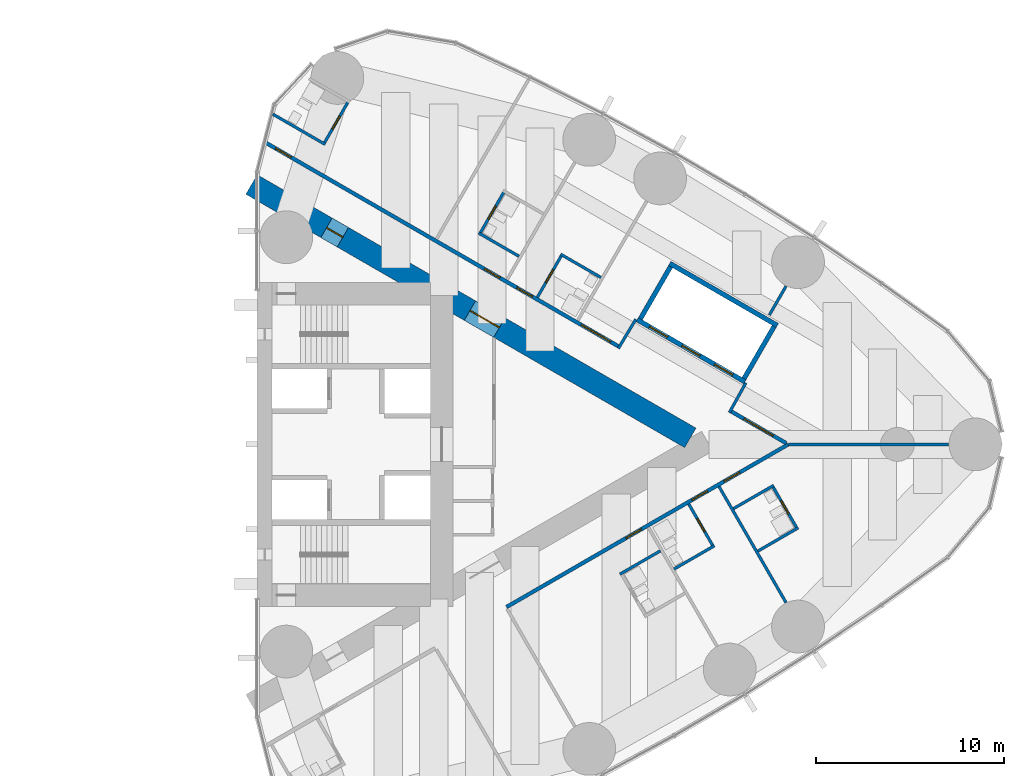
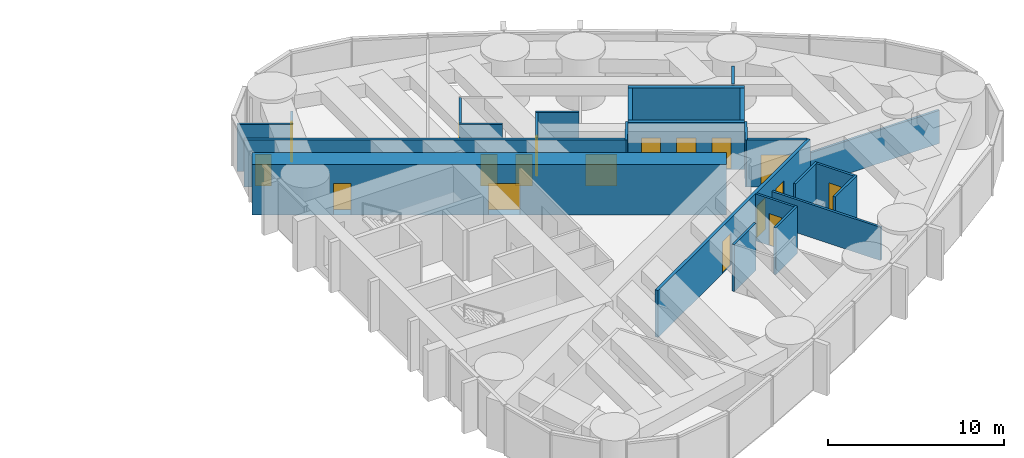
# One storey, part 15 of 18: 25 walls, 18 doors, 18 openings.
"""IFC4 building model written with IfcOpenShell, lengths in metres."""

import ifcopenshell
import ifcopenshell.guid

model = None  # the IFC model being written
_history = None  # IfcOwnerHistory: only IFC2X3 demands one
_inside = {}  # id of a spatial element -> (the spatial element, [elements in it])
_under = {}  # id of a project, library or spatial element -> (it, [spatial elements below it])
_declared = {}  # id of a project -> (the project, [libraries it declares])
_typed = {}  # id of a type object -> (the type object, [elements of that type])
_made_of = {}  # id of a material, layer set ... -> (it, [elements and type objects made of it])


def new_model(schema):
    """Start an empty IFC model of exactly this schema.

    Asked for "IFC4X3", IfcOpenShell would pick the latest addendum, in which some entities
    have other attributes; the version numbers below select the first issue.
    IFC2X3 requires an IfcOwnerHistory on every rooted entity: one is made here for all.
    """
    global model, _history
    if schema == "IFC4X3":
        model = ifcopenshell.file(schema_version=(4, 3, 0, 0))
    else:
        model = ifcopenshell.file(schema=schema)
    _inside.clear()
    _under.clear()
    _declared.clear()
    _typed.clear()
    _made_of.clear()
    _history = None
    if model.schema == "IFC2X3":
        org = make("IfcOrganization", Name="unknown")
        user = make(
            "IfcPersonAndOrganization",
            ThePerson=make("IfcPerson", FamilyName="unknown"),
            TheOrganization=org,
        )
        app = make(
            "IfcApplication",
            ApplicationDeveloper=org,
            Version="unknown",
            ApplicationFullName="unknown",
            ApplicationIdentifier="unknown",
        )
        _history = make(
            "IfcOwnerHistory",
            OwningUser=user,
            OwningApplication=app,
            ChangeAction="ADDED",
            CreationDate=0,
        )
    return model


def make(cls, **values):
    """One entity of the class cls with the attributes given. An attribute that is None is left unset."""
    return model.create_entity(
        cls, **{name: value for name, value in values.items() if value is not None}
    )


def rooted(cls, **values):
    """An entity with a GlobalId (a new one), such as an element, a storey or a relation."""
    return make(cls, GlobalId=ifcopenshell.guid.new(), OwnerHistory=_history, **values)


def si_unit(unit_type, name, prefix=None):
    """IfcSIUnit, for example si_unit("LENGTHUNIT", "METRE", prefix="MILLI")."""
    return make("IfcSIUnit", UnitType=unit_type, Prefix=prefix, Name=name)


def assignment(units):
    """IfcUnitAssignment: the units of a project."""
    return None if units is None else make("IfcUnitAssignment", Units=units)


def point(xyz):
    """IfcCartesianPoint."""
    return None if xyz is None else make("IfcCartesianPoint", Coordinates=xyz)


def direction(xyz):
    """IfcDirection."""
    return None if xyz is None else make("IfcDirection", DirectionRatios=xyz)


def frame(location, z_axis=None, x_axis=None):
    """IfcAxis2Placement3D, a coordinate frame: its origin and axes. An axis left out is left unset."""
    return make(
        "IfcAxis2Placement3D",
        Location=point(location),
        Axis=direction(z_axis),
        RefDirection=direction(x_axis),
    )


def frame_2d(location, x_axis=None):
    """IfcAxis2Placement2D, a coordinate frame in the plane: its origin and x axis."""
    return make(
        "IfcAxis2Placement2D", Location=point(location), RefDirection=direction(x_axis)
    )


def origin():
    """The frame at (0, 0, 0) with its axes left unset."""
    return frame((0.0, 0.0, 0.0))


def place(relative_to, where):
    """IfcLocalPlacement: puts the frame where relative to a parent placement (None: the world)."""
    return make(
        "IfcLocalPlacement", PlacementRelTo=relative_to, RelativePlacement=where
    )


def context(
    kind, dimensions, precision=None, world=None, true_north=None, identifier=None
):
    """IfcGeometricRepresentationContext, for example the 3D "Model" context."""
    return make(
        "IfcGeometricRepresentationContext",
        ContextIdentifier=identifier,
        ContextType=kind,
        CoordinateSpaceDimension=dimensions,
        Precision=precision,
        WorldCoordinateSystem=world,
        TrueNorth=true_north,
    )


def subcontext(parent, identifier, kind, view, scale=None):
    """IfcGeometricRepresentationSubContext, for example "Body" below "Model"."""
    return make(
        "IfcGeometricRepresentationSubContext",
        ContextIdentifier=identifier,
        ContextType=kind,
        ParentContext=parent,
        TargetScale=scale,
        TargetView=view,
    )


def project(units=None, contexts=None):
    """IfcProject with its units and contexts."""
    return rooted(
        "IfcProject",
        Name="project",
        RepresentationContexts=contexts,
        UnitsInContext=assignment(units),
    )


def spatial(cls, under=None, at=None, **own):
    """A site, building, storey or space (cls), placed at a placement, below another one or the project."""
    s = rooted(cls, ObjectPlacement=at, **own)
    if under is not None:
        _under.setdefault(under.id(), (under, []))[1].append(s)
    return s


def profile(cls, at=None, kind="AREA", **sizes):
    """A parametric profile (cls). Its sizes go by their IFC names, for example OverallWidth=200.0."""
    return make(cls, ProfileType=kind, Position=at, **sizes)


def rectangle(**sizes):
    """IfcRectangleProfileDef."""
    return profile("IfcRectangleProfileDef", **sizes)


def extrude(swept, where, along, depth):
    """IfcExtrudedAreaSolid: the profile swept, set in the frame where, extruded along a direction by depth."""
    return make(
        "IfcExtrudedAreaSolid",
        SweptArea=swept,
        Position=where,
        ExtrudedDirection=direction(along),
        Depth=depth,
    )


def shape(context_of_items, identifier, shape_type, items):
    """IfcShapeRepresentation: the items that make up one representation, for example the "Body"."""
    return make(
        "IfcShapeRepresentation",
        ContextOfItems=context_of_items,
        RepresentationIdentifier=identifier,
        RepresentationType=shape_type,
        Items=items,
    )


def material(Name=None, Category=None):
    """IfcMaterial."""
    return make("IfcMaterial", Name=Name, Category=Category)


def layer(
    of_material, thickness, ventilated=None, Name=None, Category=None, Priority=None
):
    """IfcMaterialLayer: one layer of a wall or slab, of a material (None: an air gap)."""
    return make(
        "IfcMaterialLayer",
        Material=of_material,
        LayerThickness=thickness,
        IsVentilated=ventilated,
        Name=Name,
        Category=Category,
        Priority=Priority,
    )


def layer_set(layers, Name=None):
    """IfcMaterialLayerSet."""
    return make("IfcMaterialLayerSet", MaterialLayers=layers, LayerSetName=Name)


def made_of(thing, what):
    """Note that an element or type object is made of a material, layer set ...; save() writes the relation."""
    if what is not None:
        _made_of.setdefault(what.id(), (what, []))[1].append(thing)
    return thing


def type_object(cls, material=None, **own):
    """A type object (cls), such as IfcWallType, which elements share."""
    return made_of(rooted(cls, **own), material)


def element(
    cls,
    number,
    at=None,
    inside=None,
    cuts=None,
    type_object=None,
    material=None,
    context=None,
    identifier="Body",
    shape_type=None,
    held_by="IfcProductDefinitionShape",
    body=None,
    shapes=None,
    **own,
):
    """One element of the class cls, such as IfcWall. Its Tag is "e" and its number.

    at: its placement. inside: the storey or other place that contains it. cuts: it is an
    opening in that element (IfcRelVoidsElement). A single representation is given by context,
    identifier, shape_type and body (its items); several are given by shapes. held_by: the class
    of the entity that holds the representations. save() writes the other relations.
    """
    e = rooted(cls, Tag="e%d" % number, ObjectPlacement=at, **own)
    if body is not None:
        shapes = [shape(context, identifier, shape_type, body)]
    if shapes is not None:
        e.Representation = make(held_by, Representations=shapes)
    if inside is not None:
        _inside.setdefault(inside.id(), (inside, []))[1].append(e)
    if cuts is not None:
        rooted(
            "IfcRelVoidsElement", RelatingBuildingElement=cuts, RelatedOpeningElement=e
        )
    if type_object is not None:
        _typed.setdefault(type_object.id(), (type_object, []))[1].append(e)
    return made_of(e, material)


def fill(opening, filler):
    """IfcRelFillsElement: the door or window that sits in an opening."""
    return rooted(
        "IfcRelFillsElement",
        RelatingOpeningElement=opening,
        RelatedBuildingElement=filler,
    )


def aggregate(whole, parts):
    """IfcRelAggregates: a whole, such as a stair, and the parts it consists of."""
    return rooted("IfcRelAggregates", RelatingObject=whole, RelatedObjects=parts)


def save(model, path):
    """Write the relations noted so far, then the file.

    IfcRelAggregates (storeys below a building ...), IfcRelContainedInSpatialStructure (elements
    in a storey), IfcRelDefinesByType, IfcRelAssociatesMaterial and IfcRelDeclares: one each for
    every whole, place, type object, material and project.
    """
    for whole, parts in _under.values():
        aggregate(whole, parts)
    for where, things in _inside.values():
        rooted(
            "IfcRelContainedInSpatialStructure",
            RelatedElements=things,
            RelatingStructure=where,
        )
    for kind, things in _typed.values():
        rooted("IfcRelDefinesByType", RelatedObjects=things, RelatingType=kind)
    for what, things in _made_of.values():
        rooted("IfcRelAssociatesMaterial", RelatedObjects=things, RelatingMaterial=what)
    for by, libraries in _declared.values():
        rooted("IfcRelDeclares", RelatingContext=by, RelatedDefinitions=libraries)
    model.write(path)


model = new_model("IFC4")

# Units and contexts
model_context = context("Model", 3, precision=1e-05, world=origin(), true_north=direction((0.0, 1.0)))
body_context = subcontext(model_context, "Body", "Model", "MODEL_VIEW")
ifc_project = project(units=[si_unit("LENGTHUNIT", "METRE"), si_unit("AREAUNIT", "SQUARE_METRE"), si_unit("VOLUMEUNIT", "CUBIC_METRE"), si_unit("PLANEANGLEUNIT", "RADIAN"), si_unit("MASSUNIT", "GRAM", prefix="KILO")], contexts=[model_context])

# Site, building, storey
site_placement = place(None, origin())
site = spatial("IfcSite", under=ifc_project, at=site_placement, CompositionType="ELEMENT")
building_placement = place(site_placement, origin())
building = spatial("IfcBuilding", under=site, at=building_placement, Name="Lancet Gate Hotel", CompositionType="ELEMENT")
storey_placement = place(building_placement, frame((0.0, 0.0, 166.800048828125)))
storey = spatial("IfcBuildingStorey", under=building, at=storey_placement, Name="L44", CompositionType="ELEMENT", Elevation=166.800048828125)

# Walls
ifc_material_1 = material(Name="Moisture resistant board partition")
ifc_layer_1 = layer(ifc_material_1, 0.14990234375)
ifc_layer_set_1 = layer_set([ifc_layer_1], Name="Bathroom wall 150")
wall_type_1 = type_object("IfcWallType", Name="Bathroom wall 150", PredefinedType="PARTITIONING", material=ifc_layer_set_1)
for number, where, z_axis, x_axis, name in (
    (1, (46.766357421875, -6.89111328125, 0.0), (0.0, 0.0, 1.0), (0.86604923931, 0.499958713387, 0.0), "T2 bathroom wall 150 L44"),
    (2, (49.6396484375, -6.617919921875, 0.0), (0.0, 0.0, 1.0), (0.866006523861, 0.500032699561, 0.0), "T2 bathroom wall 150 L44"),
):
    element("IfcWall", number, at=place(storey_placement, frame(where, z_axis=z_axis, x_axis=x_axis)), inside=storey, type_object=wall_type_1, Name=name, PredefinedType="PARTITIONING", context=body_context, shape_type="SweptSolid", body=[
        extrude(rectangle(XDim=2.474853515625, YDim=0.14990234375, at=frame_2d((1.2373046875, 0.0))), origin(), (0.0, 0.0, 1.0), 3.25),
    ])

# Wall, opening, door
wall_1_placement = place(storey_placement, frame((50.418212890625, -3.166259765625, 0.0), z_axis=(0.0, 0.0, 1.0), x_axis=(0.499936506574, -0.866062058628, 0.0)))
wall_1 = element("IfcWall", 3, at=wall_1_placement, inside=storey, type_object=wall_type_1, Name="T2 bathroom wall 150 L44", PredefinedType="PARTITIONING", context=body_context, shape_type="SweptSolid", body=[
    extrude(rectangle(XDim=2.599853515625, YDim=0.14990234375, at=frame_2d((1.2998046875, 0.0))), origin(), (0.0, 0.0, 1.0), 3.25),
])
opening_1_placement = place(wall_1_placement, frame((0.89990234375, 0.0, 0.0)))
opening_1 = element("IfcOpeningElement", 4, at=opening_1_placement, cuts=wall_1, Name="Opening 4456-B", PredefinedType="OPENING", context=body_context, shape_type="SweptSolid", body=[
    extrude(rectangle(XDim=0.800048828125, YDim=2.199951171875, at=frame_2d((0.39990234375, 1.10009765625))), frame((0.0, 0.0849609375, 0.0), z_axis=(0.0, -1.0, 0.0), x_axis=(1.0, 0.0, 0.0)), (0.0, 0.0, 1.0), 0.169921875),
])
ifc_material_2 = material(Name="Timber door set", Category="wood")
door_type_1 = type_object("IfcDoorType", Name="Bathroom door 800", OperationType="SINGLE_SWING_RIGHT", PredefinedType="DOOR", material=ifc_material_2)
door_1_placement = place(opening_1_placement, origin())
door_1 = element("IfcDoor", 5, at=door_1_placement, inside=storey, type_object=door_type_1, Name="4456-B", OperationType="SINGLE_SWING_RIGHT", OverallHeight=2.199951171875, OverallWidth=0.800048828125, PredefinedType="DOOR", context=body_context, shape_type="SweptSolid", body=[
    extrude(rectangle(XDim=0.800048828125, YDim=2.199951171875, at=frame_2d((0.39990234375, 1.10009765625))), frame((0.0, 0.02490234375, 0.0), z_axis=(0.0, -1.0, 0.0), x_axis=(1.0, 0.0, 0.0)), (0.0, 0.0, 1.0), 0.050048828125),
])
fill(opening_1, door_1)

# Wall
wall_2_placement = place(storey_placement, frame((54.09033203125, -5.6650390625, 0.0), z_axis=(0.0, 0.0, 1.0), x_axis=(0.866006523861, 0.500032699561, 0.0)))
element("IfcWall", 6, at=wall_2_placement, inside=storey, type_object=wall_type_1, Name="T2 bathroom wall 150 L44", PredefinedType="PARTITIONING", context=body_context, shape_type="SweptSolid", body=[
    extrude(rectangle(XDim=2.474853515625, YDim=0.14990234375, at=frame_2d((1.2373046875, 0.0))), origin(), (0.0, 0.0, 1.0), 3.25),
])

# Wall, opening, door
wall_3_placement = place(storey_placement, frame((54.86865234375, -2.21337890625, 0.0), z_axis=(0.0, 0.0, 1.0), x_axis=(0.500047596559, -0.865997922154, 0.0)))
wall_3 = element("IfcWall", 7, at=wall_3_placement, inside=storey, type_object=wall_type_1, Name="T2 bathroom wall 150 L44", PredefinedType="PARTITIONING", context=body_context, shape_type="SweptSolid", body=[
    extrude(rectangle(XDim=2.599853515625, YDim=0.14990234375, at=frame_2d((1.2998046875, 0.0))), origin(), (0.0, 0.0, 1.0), 3.25),
])
opening_2_placement = place(wall_3_placement, frame((0.89990234375, 0.0, 0.0)))
opening_2 = element("IfcOpeningElement", 8, at=opening_2_placement, cuts=wall_3, Name="Opening 4457-B", PredefinedType="OPENING", context=body_context, shape_type="SweptSolid", body=[
    extrude(rectangle(XDim=0.800048828125, YDim=2.199951171875, at=frame_2d((0.39990234375, 1.10009765625))), frame((0.0, 0.0849609375, 0.0), z_axis=(0.0, -1.0, 0.0), x_axis=(1.0, 0.0, 0.0)), (0.0, 0.0, 1.0), 0.169921875),
])
door_2_placement = place(opening_2_placement, origin())
door_2 = element("IfcDoor", 9, at=door_2_placement, inside=storey, type_object=door_type_1, Name="4457-B", OperationType="SINGLE_SWING_RIGHT", OverallHeight=2.199951171875, OverallWidth=0.800048828125, PredefinedType="DOOR", context=body_context, shape_type="SweptSolid", body=[
    extrude(rectangle(XDim=0.800048828125, YDim=2.199951171875, at=frame_2d((0.39990234375, 1.10009765625))), frame((0.0, 0.02490234375, 0.0), z_axis=(0.0, -1.0, 0.0), x_axis=(1.0, 0.0, 0.0)), (0.0, 0.0, 1.0), 0.050048828125),
])
fill(opening_2, door_2)

# Walls
wall_4_placement = place(storey_placement, frame((52.790283203125, -3.413330078125, 0.0), z_axis=(0.0, 0.0, 1.0), x_axis=(0.866006523861, 0.500032699561, 0.0)))
element("IfcWall", 10, at=wall_4_placement, inside=storey, type_object=wall_type_1, Name="T2 bathroom wall 150 L44", PredefinedType="PARTITIONING", context=body_context, shape_type="SweptSolid", body=[
    extrude(rectangle(XDim=2.474853515625, YDim=0.14990234375, at=frame_2d((1.2373046875, 0.0))), origin(), (0.0, 0.0, 1.0), 3.25),
])
wall_5_placement = place(storey_placement, frame((43.613037109375, 10.097412109375, 0.0), z_axis=(0.0, 0.0, 1.0), x_axis=(0.866031185235, -0.4999899861, 0.0)))
element("IfcWall", 11, at=wall_5_placement, inside=storey, type_object=wall_type_1, Name="T2 bathroom wall 150 L44", PredefinedType="PARTITIONING", context=body_context, shape_type="SweptSolid", body=[
    extrude(rectangle(XDim=2.47509765625, YDim=0.14990234375, at=frame_2d((1.237548828125, 0.0))), origin(), (0.0, 0.0, 1.0), 3.25),
])

# Wall, opening, door
wall_6_placement = place(storey_placement, frame((42.3779296875, 7.80810546875, 0.0), z_axis=(0.0, 0.0, 1.0), x_axis=(0.500006934395, 0.866021400173, 0.0)))
wall_6 = element("IfcWall", 12, at=wall_6_placement, inside=storey, type_object=wall_type_1, Name="T2 bathroom wall 150 L44", PredefinedType="PARTITIONING", context=body_context, shape_type="SweptSolid", body=[
    extrude(rectangle(XDim=2.60009765625, YDim=0.14990234375, at=frame_2d((1.300048828125, 0.0))), origin(), (0.0, 0.0, 1.0), 3.25),
])
opening_3_placement = place(wall_6_placement, frame((0.89990234375, 0.0, 0.0)))
opening_3 = element("IfcOpeningElement", 13, at=opening_3_placement, cuts=wall_6, Name="Opening 4461-B", PredefinedType="OPENING", context=body_context, shape_type="SweptSolid", body=[
    extrude(rectangle(XDim=0.800048828125, YDim=2.199951171875, at=frame_2d((0.39990234375, 1.10009765625))), frame((0.0, 0.0849609375, 0.0), z_axis=(0.0, -1.0, 0.0), x_axis=(1.0, 0.0, 0.0)), (0.0, 0.0, 1.0), 0.169921875),
])
door_3_placement = place(opening_3_placement, origin())
door_3 = element("IfcDoor", 14, at=door_3_placement, inside=storey, type_object=door_type_1, Name="4461-B", OperationType="SINGLE_SWING_RIGHT", OverallHeight=2.199951171875, OverallWidth=0.800048828125, PredefinedType="DOOR", context=body_context, shape_type="SweptSolid", body=[
    extrude(rectangle(XDim=0.800048828125, YDim=2.199951171875, at=frame_2d((0.39990234375, 1.10009765625))), frame((0.0, 0.02490234375, 0.0), z_axis=(0.0, -1.0, 0.0), x_axis=(1.0, 0.0, 0.0)), (0.0, 0.0, 1.0), 0.050048828125),
])
fill(opening_3, door_3)

wall_7_placement = place(storey_placement, frame((39.325927734375, 11.18701171875, 0.0), z_axis=(0.0, 0.0, 1.0), x_axis=(0.500047596559, 0.865997922154, 0.0)))
wall_7 = element("IfcWall", 15, at=wall_7_placement, inside=storey, type_object=wall_type_1, Name="T2 bathroom wall 150 L44", PredefinedType="PARTITIONING", context=body_context, shape_type="SweptSolid", body=[
    extrude(rectangle(XDim=2.599853515625, YDim=0.14990234375, at=frame_2d((1.2998046875, 0.0))), origin(), (0.0, 0.0, 1.0), 3.25),
])
opening_4_placement = place(wall_7_placement, frame((0.89990234375, 0.0, 0.0)))
opening_4 = element("IfcOpeningElement", 16, at=opening_4_placement, cuts=wall_7, Name="Opening 4462-B", PredefinedType="OPENING", context=body_context, shape_type="SweptSolid", body=[
    extrude(rectangle(XDim=0.800048828125, YDim=2.199951171875, at=frame_2d((0.39990234375, 1.10009765625))), frame((0.0, 0.0849609375, 0.0), z_axis=(0.0, -1.0, 0.0), x_axis=(1.0, 0.0, 0.0)), (0.0, 0.0, 1.0), 0.169921875),
])
door_4_placement = place(opening_4_placement, origin())
door_4 = element("IfcDoor", 17, at=door_4_placement, inside=storey, type_object=door_type_1, Name="4462-B", OperationType="SINGLE_SWING_RIGHT", OverallHeight=2.199951171875, OverallWidth=0.800048828125, PredefinedType="DOOR", context=body_context, shape_type="SweptSolid", body=[
    extrude(rectangle(XDim=0.800048828125, YDim=2.199951171875, at=frame_2d((0.39990234375, 1.10009765625))), frame((0.0, 0.02490234375, 0.0), z_axis=(0.0, -1.0, 0.0), x_axis=(1.0, 0.0, 0.0)), (0.0, 0.0, 1.0), 0.050048828125),
])
fill(opening_4, door_4)

# Wall
wall_8_placement = place(storey_placement, frame((39.260986328125, 11.224365234375, 0.0), z_axis=(0.0, 0.0, 1.0), x_axis=(0.866006523861, -0.500032699561, 0.0)))
element("IfcWall", 18, at=wall_8_placement, inside=storey, type_object=wall_type_1, Name="T2 bathroom wall 150 L44", PredefinedType="PARTITIONING", context=body_context, shape_type="SweptSolid", body=[
    extrude(rectangle(XDim=2.474853515625, YDim=0.14990234375, at=frame_2d((1.2373046875, 0.0))), origin(), (0.0, 0.0, 1.0), 3.25),
])

# Wall, opening, door
wall_9_placement = place(storey_placement, frame((31.0478515625, 15.96630859375, 0.0), z_axis=(0.0, 0.0, 1.0), x_axis=(0.499936506574, 0.866062058628, 0.0)))
wall_9 = element("IfcWall", 19, at=wall_9_placement, inside=storey, type_object=wall_type_1, Name="T2 bathroom wall 150 L44", PredefinedType="PARTITIONING", context=body_context, shape_type="SweptSolid", body=[
    extrude(rectangle(XDim=2.599853515625, YDim=0.14990234375, at=frame_2d((1.2998046875, 0.0))), origin(), (0.0, 0.0, 1.0), 2.300048828125),
])
opening_5_placement = place(wall_9_placement, frame((0.89990234375, 0.0, 0.0)))
opening_5 = element("IfcOpeningElement", 20, at=opening_5_placement, cuts=wall_9, Name="Opening 4463-B", PredefinedType="OPENING", context=body_context, shape_type="SweptSolid", body=[
    extrude(rectangle(XDim=0.800048828125, YDim=2.199951171875, at=frame_2d((0.39990234375, 1.10009765625))), frame((0.0, 0.0849609375, 0.0), z_axis=(0.0, -1.0, 0.0), x_axis=(1.0, 0.0, 0.0)), (0.0, 0.0, 1.0), 0.169921875),
])
door_5_placement = place(opening_5_placement, origin())
door_5 = element("IfcDoor", 21, at=door_5_placement, inside=storey, type_object=door_type_1, Name="4463-B", OperationType="SINGLE_SWING_RIGHT", OverallHeight=2.199951171875, OverallWidth=0.800048828125, PredefinedType="DOOR", context=body_context, shape_type="SweptSolid", body=[
    extrude(rectangle(XDim=0.800048828125, YDim=2.199951171875, at=frame_2d((0.39990234375, 1.10009765625))), frame((0.0, 0.02490234375, 0.0), z_axis=(0.0, -1.0, 0.0), x_axis=(1.0, 0.0, 0.0)), (0.0, 0.0, 1.0), 0.050048828125),
])
fill(opening_5, door_5)

# Wall
wall_10_placement = place(storey_placement, frame((28.34326171875, 17.52783203125, 0.0), z_axis=(0.0, 0.0, 1.0), x_axis=(0.86600760081, -0.500030834389, 0.0)))
element("IfcWall", 22, at=wall_10_placement, inside=storey, type_object=wall_type_1, Name="T2 bathroom wall 150 L44", PredefinedType="PARTITIONING", context=body_context, shape_type="SweptSolid", body=[
    extrude(rectangle(XDim=3.197998046875, YDim=0.14990234375, at=frame_2d((1.59912109375, 0.0))), origin(), (0.0, 0.0, 1.0), 3.25),
])

# Wall, openings, doors
ifc_material_3 = material(Name="Concrete C70/85", Category="concrete")
ifc_layer_2 = layer(ifc_material_3, 1.199951171875)
ifc_layer_set_2 = layer_set([ifc_layer_2], Name="Buttress wall 1200")
wall_type_2 = type_object("IfcWallType", Name="Buttress wall 1200", PredefinedType="SHEAR", material=ifc_layer_set_2)
wall_11_placement = place(storey_placement, frame((27.199951171875, 13.800048828125, 0.0), z_axis=(0.0, 0.0, 1.0), x_axis=(0.866024515034, -0.500001539357, 0.0)))
wall_11 = element("IfcWall", 23, at=wall_11_placement, inside=storey, type_object=wall_type_2, Name="T2 buttress wall N L44", PredefinedType="SHEAR", context=body_context, shape_type="SweptSolid", body=[
    extrude(rectangle(XDim=26.9072265625, YDim=1.199951171875, at=frame_2d((13.45361328125, 0.0))), origin(), (0.0, 0.0, 1.0), 3.5),
])
opening_6_placement = place(wall_11_placement, frame((4.60009765625, 0.0, 0.0)))
opening_6 = element("IfcOpeningElement", 24, at=opening_6_placement, cuts=wall_11, Name="Opening T2-L44-LN", PredefinedType="OPENING", context=body_context, shape_type="SweptSolid", body=[
    extrude(rectangle(XDim=1.0, YDim=2.199951171875, at=frame_2d((0.5, 1.10009765625))), frame((0.0, 0.60986328125, 0.0), z_axis=(0.0, -1.0, 0.0), x_axis=(1.0, 0.0, 0.0)), (0.0, 0.0, 1.0), 1.219970703125),
])
opening_7_placement = place(wall_11_placement, frame((13.39453125, 0.0, 0.0)))
opening_7 = element("IfcOpeningElement", 25, at=opening_7_placement, cuts=wall_11, Name="Opening T2-L44-LHN", PredefinedType="OPENING", context=body_context, shape_type="SweptSolid", body=[
    extrude(rectangle(XDim=1.800048828125, YDim=2.199951171875, at=frame_2d((0.89990234375, 1.10009765625))), frame((0.0, 0.60986328125, 0.0), z_axis=(0.0, -1.0, 0.0), x_axis=(1.0, 0.0, 0.0)), (0.0, 0.0, 1.0), 1.219970703125),
])
ifc_material_4 = material(Name="Timber door set", Category="wood")
door_type_2 = type_object("IfcDoorType", Name="Lobby double door 1800", OperationType="DOUBLE_DOOR_SINGLE_SWING", PredefinedType="DOOR", material=ifc_material_4)
door_6_placement = place(opening_7_placement, origin())
door_6 = element("IfcDoor", 26, at=door_6_placement, inside=storey, type_object=door_type_2, Name="T2-L44-LHN", OperationType="DOUBLE_DOOR_SINGLE_SWING", OverallHeight=2.199951171875, OverallWidth=1.800048828125, PredefinedType="DOOR", context=body_context, shape_type="SweptSolid", body=[
    extrude(rectangle(XDim=1.800048828125, YDim=2.199951171875, at=frame_2d((0.89990234375, 1.10009765625))), frame((0.0, 0.02490234375, 0.0), z_axis=(0.0, -1.0, 0.0), x_axis=(1.0, 0.0, 0.0)), (0.0, 0.0, 1.0), 0.050048828125),
])
fill(opening_7, door_6)
ifc_material_5 = material(Name="Timber door set", Category="wood")
door_type_3 = type_object("IfcDoorType", Name="Stair lobby door 1000", OperationType="SINGLE_SWING_LEFT", PredefinedType="DOOR", material=ifc_material_5)
door_7_placement = place(opening_6_placement, origin())
door_7 = element("IfcDoor", 27, at=door_7_placement, inside=storey, type_object=door_type_3, Name="T2-L44-LN", OperationType="SINGLE_SWING_LEFT", OverallHeight=2.199951171875, OverallWidth=1.0, PredefinedType="DOOR", context=body_context, shape_type="SweptSolid", body=[
    extrude(rectangle(XDim=1.0, YDim=2.199951171875, at=frame_2d((0.5, 1.10009765625))), frame((0.0, 0.02490234375, 0.0), z_axis=(0.0, -1.0, 0.0), x_axis=(1.0, 0.0, 0.0)), (0.0, 0.0, 1.0), 0.050048828125),
])
fill(opening_6, door_7)

ifc_material_6 = material(Name="Gypsum board partition")
ifc_layer_3 = layer(ifc_material_6, 0.199951171875)
ifc_layer_set_3 = layer_set([ifc_layer_3], Name="Corridor wall 200")
wall_type_3 = type_object("IfcWallType", Name="Corridor wall 200", PredefinedType="PARTITIONING", material=ifc_layer_set_3)
wall_12_placement = place(storey_placement, frame((27.95947265625, 16.017333984375, 0.0), z_axis=(0.0, 0.0, 1.0), x_axis=(0.866027146794, -0.499996981007, 0.0)))
wall_12 = element("IfcWall", 28, at=wall_12_placement, inside=storey, type_object=wall_type_3, Name="T2 corridor wall 200 L44", PredefinedType="PARTITIONING", context=body_context, shape_type="SweptSolid", body=[
    extrude(rectangle(XDim=21.657470703125, YDim=0.199951171875, at=frame_2d((10.82861328125, 0.0))), origin(), (0.0, 0.0, 1.0), 3.25),
])
opening_8_placement = place(wall_12_placement, frame((15.391357421875, 0.0, 0.0)))
opening_8 = element("IfcOpeningElement", 29, at=opening_8_placement, cuts=wall_12, Name="Opening 4461-E", PredefinedType="OPENING", context=body_context, shape_type="SweptSolid", body=[
    extrude(rectangle(XDim=0.949951171875, YDim=2.199951171875, at=frame_2d((0.47509765625, 1.10009765625))), frame((0.0, 0.10986328125, 0.0), z_axis=(0.0, -1.0, 0.0), x_axis=(1.0, 0.0, 0.0)), (0.0, 0.0, 1.0), 0.219970703125),
])
opening_9_placement = place(wall_12_placement, frame((13.40869140625, 0.0, 0.0)))
opening_9 = element("IfcOpeningElement", 30, at=opening_9_placement, cuts=wall_12, Name="Opening 4462-E", PredefinedType="OPENING", context=body_context, shape_type="SweptSolid", body=[
    extrude(rectangle(XDim=0.949951171875, YDim=2.199951171875, at=frame_2d((0.47509765625, 1.10009765625))), frame((0.0, 0.10986328125, 0.0), z_axis=(0.0, -1.0, 0.0), x_axis=(1.0, 0.0, 0.0)), (0.0, 0.0, 1.0), 0.219970703125),
])
opening_10_placement = place(wall_12_placement, frame((0.60009765625, 0.0, 0.0)))
opening_10 = element("IfcOpeningElement", 31, at=opening_10_placement, cuts=wall_12, Name="Opening 4463-E", PredefinedType="OPENING", context=body_context, shape_type="SweptSolid", body=[
    extrude(rectangle(XDim=0.949951171875, YDim=2.199951171875, at=frame_2d((0.47509765625, 1.10009765625))), frame((0.0, 0.10986328125, 0.0), z_axis=(0.0, -1.0, 0.0), x_axis=(1.0, 0.0, 0.0)), (0.0, 0.0, 1.0), 0.219970703125),
])
opening_11_placement = place(wall_12_placement, frame((19.349365234375, 0.0, 0.0)))
opening_11 = element("IfcOpeningElement", 32, at=opening_11_placement, cuts=wall_12, Name="Opening T2-L44-LO2", PredefinedType="OPENING", context=body_context, shape_type="SweptSolid", body=[
    extrude(rectangle(XDim=1.800048828125, YDim=2.199951171875, at=frame_2d((0.89990234375, 1.10009765625))), frame((0.0, 0.10986328125, 0.0), z_axis=(0.0, -1.0, 0.0), x_axis=(1.0, 0.0, 0.0)), (0.0, 0.0, 1.0), 0.219970703125),
])
ifc_material_7 = material(Name="Timber door set", Category="wood")
door_type_4 = type_object("IfcDoorType", Name="Double door 1800", OperationType="DOUBLE_DOOR_SINGLE_SWING", PredefinedType="DOOR", material=ifc_material_7)
door_8_placement = place(opening_11_placement, origin())
door_8 = element("IfcDoor", 33, at=door_8_placement, inside=storey, type_object=door_type_4, Name="T2-L44-LO2", OperationType="DOUBLE_DOOR_SINGLE_SWING", OverallHeight=2.199951171875, OverallWidth=1.800048828125, PredefinedType="DOOR", context=body_context, shape_type="SweptSolid", body=[
    extrude(rectangle(XDim=1.800048828125, YDim=2.199951171875, at=frame_2d((0.89990234375, 1.10009765625))), frame((0.0, 0.02490234375, 0.0), z_axis=(0.0, -1.0, 0.0), x_axis=(1.0, 0.0, 0.0)), (0.0, 0.0, 1.0), 0.050048828125),
])
fill(opening_11, door_8)
ifc_material_8 = material(Name="Timber door set", Category="wood")
door_type_5 = type_object("IfcDoorType", Name="Guest room entry door 950", OperationType="SINGLE_SWING_LEFT", PredefinedType="DOOR", material=ifc_material_8)
door_9_placement = place(opening_8_placement, origin())
door_9 = element("IfcDoor", 34, at=door_9_placement, inside=storey, type_object=door_type_5, Name="4461-E", OperationType="SINGLE_SWING_LEFT", OverallHeight=2.199951171875, OverallWidth=0.949951171875, PredefinedType="DOOR", context=body_context, shape_type="SweptSolid", body=[
    extrude(rectangle(XDim=0.949951171875, YDim=2.199951171875, at=frame_2d((0.47509765625, 1.10009765625))), frame((0.0, 0.02490234375, 0.0), z_axis=(0.0, -1.0, 0.0), x_axis=(1.0, 0.0, 0.0)), (0.0, 0.0, 1.0), 0.050048828125),
])
fill(opening_8, door_9)
door_10_placement = place(opening_9_placement, origin())
door_10 = element("IfcDoor", 35, at=door_10_placement, inside=storey, type_object=door_type_5, Name="4462-E", OperationType="SINGLE_SWING_LEFT", OverallHeight=2.199951171875, OverallWidth=0.949951171875, PredefinedType="DOOR", context=body_context, shape_type="SweptSolid", body=[
    extrude(rectangle(XDim=0.949951171875, YDim=2.199951171875, at=frame_2d((0.47509765625, 1.10009765625))), frame((0.0, 0.02490234375, 0.0), z_axis=(0.0, -1.0, 0.0), x_axis=(1.0, 0.0, 0.0)), (0.0, 0.0, 1.0), 0.050048828125),
])
fill(opening_9, door_10)
door_11_placement = place(opening_10_placement, origin())
door_11 = element("IfcDoor", 36, at=door_11_placement, inside=storey, type_object=door_type_5, Name="4463-E", OperationType="SINGLE_SWING_LEFT", OverallHeight=2.199951171875, OverallWidth=0.949951171875, PredefinedType="DOOR", context=body_context, shape_type="SweptSolid", body=[
    extrude(rectangle(XDim=0.949951171875, YDim=2.199951171875, at=frame_2d((0.47509765625, 1.10009765625))), frame((0.0, 0.02490234375, 0.0), z_axis=(0.0, -1.0, 0.0), x_axis=(1.0, 0.0, 0.0)), (0.0, 0.0, 1.0), 0.050048828125),
])
fill(opening_10, door_11)

# Wall, opening, door
wall_13_placement = place(storey_placement, frame((52.63916015625, 1.7685546875, 0.0), z_axis=(0.0, 0.0, 1.0), x_axis=(0.866027340901, -0.4999966448, 0.0)))
wall_13 = element("IfcWall", 37, at=wall_13_placement, inside=storey, type_object=wall_type_3, Name="T2 corridor wall 200 L44", PredefinedType="PARTITIONING", context=body_context, shape_type="SweptSolid", body=[
    extrude(rectangle(XDim=3.4169921875, YDim=0.199951171875, at=frame_2d((1.70849609375, 0.0))), origin(), (0.0, 0.0, 1.0), 3.25),
])
opening_12_placement = place(wall_13_placement, frame((0.80859375, 0.0, 0.0)))
opening_12 = element("IfcOpeningElement", 38, at=opening_12_placement, cuts=wall_13, Name="Opening T2-L44-LO1", PredefinedType="OPENING", context=body_context, shape_type="SweptSolid", body=[
    extrude(rectangle(XDim=1.800048828125, YDim=2.199951171875, at=frame_2d((0.89990234375, 1.10009765625))), frame((0.0, 0.10986328125, 0.0), z_axis=(0.0, -1.0, 0.0), x_axis=(1.0, 0.0, 0.0)), (0.0, 0.0, 1.0), 0.219970703125),
])
door_12_placement = place(opening_12_placement, origin())
door_12 = element("IfcDoor", 39, at=door_12_placement, inside=storey, type_object=door_type_4, Name="T2-L44-LO1", OperationType="DOUBLE_DOOR_SINGLE_SWING", OverallHeight=2.199951171875, OverallWidth=1.800048828125, PredefinedType="DOOR", context=body_context, shape_type="SweptSolid", body=[
    extrude(rectangle(XDim=1.800048828125, YDim=2.199951171875, at=frame_2d((0.89990234375, 1.10009765625))), frame((0.0, 0.02490234375, 0.0), z_axis=(0.0, -1.0, 0.0), x_axis=(1.0, 0.0, 0.0)), (0.0, 0.0, 1.0), 0.050048828125),
])
fill(opening_12, door_12)

# Wall, openings, doors
wall_14_placement = place(storey_placement, frame((40.740966796875, -8.637939453125, 0.0), z_axis=(0.0, 0.0, 1.0), x_axis=(0.866022967338, 0.500004220025, 0.0)))
wall_14 = element("IfcWall", 40, at=wall_14_placement, inside=storey, type_object=wall_type_3, Name="T2 corridor wall 200 L44", PredefinedType="PARTITIONING", context=body_context, shape_type="SweptSolid", body=[
    extrude(rectangle(XDim=17.275634765625, YDim=0.199951171875, at=frame_2d((8.6376953125, 0.0))), origin(), (0.0, 0.0, 1.0), 3.25),
])
opening_13_placement = place(wall_14_placement, frame((7.31640625, 0.0, 0.0)))
opening_13 = element("IfcOpeningElement", 41, at=opening_13_placement, cuts=wall_14, Name="Opening 4454-E", PredefinedType="OPENING", context=body_context, shape_type="SweptSolid", body=[
    extrude(rectangle(XDim=0.949951171875, YDim=2.199951171875, at=frame_2d((0.47509765625, 1.10009765625))), frame((0.0, 0.10986328125, 0.0), z_axis=(0.0, -1.0, 0.0), x_axis=(1.0, 0.0, 0.0)), (0.0, 0.0, 1.0), 0.219970703125),
])
opening_14_placement = place(wall_14_placement, frame((11.366455078125, 0.0, 0.0)))
opening_14 = element("IfcOpeningElement", 42, at=opening_14_placement, cuts=wall_14, Name="Opening 4456-E", PredefinedType="OPENING", context=body_context, shape_type="SweptSolid", body=[
    extrude(rectangle(XDim=0.949951171875, YDim=2.199951171875, at=frame_2d((0.47509765625, 1.10009765625))), frame((0.0, 0.10986328125, 0.0), z_axis=(0.0, -1.0, 0.0), x_axis=(1.0, 0.0, 0.0)), (0.0, 0.0, 1.0), 0.219970703125),
])
opening_15_placement = place(wall_14_placement, frame((13.34716796875, 0.0, 0.0)))
opening_15 = element("IfcOpeningElement", 43, at=opening_15_placement, cuts=wall_14, Name="Opening 4457-E", PredefinedType="OPENING", context=body_context, shape_type="SweptSolid", body=[
    extrude(rectangle(XDim=0.949951171875, YDim=2.199951171875, at=frame_2d((0.47509765625, 1.10009765625))), frame((0.0, 0.10986328125, 0.0), z_axis=(0.0, -1.0, 0.0), x_axis=(1.0, 0.0, 0.0)), (0.0, 0.0, 1.0), 0.219970703125),
])
door_13_placement = place(opening_13_placement, origin())
door_13 = element("IfcDoor", 44, at=door_13_placement, inside=storey, type_object=door_type_5, Name="4454-E", OperationType="SINGLE_SWING_LEFT", OverallHeight=2.199951171875, OverallWidth=0.949951171875, PredefinedType="DOOR", context=body_context, shape_type="SweptSolid", body=[
    extrude(rectangle(XDim=0.949951171875, YDim=2.199951171875, at=frame_2d((0.47509765625, 1.10009765625))), frame((0.0, 0.02490234375, 0.0), z_axis=(0.0, -1.0, 0.0), x_axis=(1.0, 0.0, 0.0)), (0.0, 0.0, 1.0), 0.050048828125),
])
fill(opening_13, door_13)
door_14_placement = place(opening_14_placement, origin())
door_14 = element("IfcDoor", 45, at=door_14_placement, inside=storey, type_object=door_type_5, Name="4456-E", OperationType="SINGLE_SWING_LEFT", OverallHeight=2.199951171875, OverallWidth=0.949951171875, PredefinedType="DOOR", context=body_context, shape_type="SweptSolid", body=[
    extrude(rectangle(XDim=0.949951171875, YDim=2.199951171875, at=frame_2d((0.47509765625, 1.10009765625))), frame((0.0, 0.02490234375, 0.0), z_axis=(0.0, -1.0, 0.0), x_axis=(1.0, 0.0, 0.0)), (0.0, 0.0, 1.0), 0.050048828125),
])
fill(opening_14, door_14)
door_15_placement = place(opening_15_placement, origin())
door_15 = element("IfcDoor", 46, at=door_15_placement, inside=storey, type_object=door_type_5, Name="4457-E", OperationType="SINGLE_SWING_LEFT", OverallHeight=2.199951171875, OverallWidth=0.949951171875, PredefinedType="DOOR", context=body_context, shape_type="SweptSolid", body=[
    extrude(rectangle(XDim=0.949951171875, YDim=2.199951171875, at=frame_2d((0.47509765625, 1.10009765625))), frame((0.0, 0.02490234375, 0.0), z_axis=(0.0, -1.0, 0.0), x_axis=(1.0, 0.0, 0.0)), (0.0, 0.0, 1.0), 0.050048828125),
])
fill(opening_15, door_15)

ifc_material_9 = material(Name="Gypsum board partition")
ifc_layer_4 = layer(ifc_material_9, 0.25)
ifc_layer_set_4 = layer_set([ifc_layer_4], Name="Lift shaft partition 250")
wall_type_4 = type_object("IfcWallType", Name="Lift shaft partition 250", PredefinedType="PARTITIONING", material=ifc_layer_set_4)
wall_15_placement = place(storey_placement, frame((47.681396484375, 6.622314453125, 0.0), z_axis=(0.0, 0.0, 1.0), x_axis=(0.86603344179, -0.499986077507, 0.0)))
wall_15 = element("IfcWall", 47, at=wall_15_placement, inside=storey, type_object=wall_type_4, Name="T2 lift shaft wall HL L44", PredefinedType="PARTITIONING", context=body_context, shape_type="SweptSolid", body=[
    extrude(rectangle(XDim=6.600341796875, YDim=0.25, at=frame_2d((3.30029296875, 0.0))), origin(), (0.0, 0.0, 1.0), 3.25),
])
opening_16_placement = place(wall_15_placement, frame((0.75, 0.0, 0.0)))
opening_16 = element("IfcOpeningElement", 48, at=opening_16_placement, cuts=wall_15, Name="Opening T2-HL1-L44", PredefinedType="OPENING", context=body_context, shape_type="SweptSolid", body=[
    extrude(rectangle(XDim=1.10009765625, YDim=2.199951171875, at=frame_2d((0.550048828125, 1.10009765625))), frame((0.0, 0.135009765625, 0.0), z_axis=(0.0, -1.0, 0.0), x_axis=(1.0, 0.0, 0.0)), (0.0, 0.0, 1.0), 0.27001953125),
])
opening_17_placement = place(wall_15_placement, frame((2.75, 0.0, 0.0)))
opening_17 = element("IfcOpeningElement", 49, at=opening_17_placement, cuts=wall_15, Name="Opening T2-HL2-L44", PredefinedType="OPENING", context=body_context, shape_type="SweptSolid", body=[
    extrude(rectangle(XDim=1.10009765625, YDim=2.199951171875, at=frame_2d((0.550048828125, 1.10009765625))), frame((0.0, 0.135009765625, 0.0), z_axis=(0.0, -1.0, 0.0), x_axis=(1.0, 0.0, 0.0)), (0.0, 0.0, 1.0), 0.27001953125),
])
opening_18_placement = place(wall_15_placement, frame((4.75, 0.0, 0.0)))
opening_18 = element("IfcOpeningElement", 50, at=opening_18_placement, cuts=wall_15, Name="Opening T2-HL3-L44", PredefinedType="OPENING", context=body_context, shape_type="SweptSolid", body=[
    extrude(rectangle(XDim=1.10009765625, YDim=2.199951171875, at=frame_2d((0.550048828125, 1.10009765625))), frame((0.0, 0.135009765625, 0.0), z_axis=(0.0, -1.0, 0.0), x_axis=(1.0, 0.0, 0.0)), (0.0, 0.0, 1.0), 0.27001953125),
])
ifc_material_10 = material(Name="Steel door set", Category="steel")
door_type_6 = type_object("IfcDoorType", Name="Lift landing door 1100", OperationType="DOUBLE_DOOR_SLIDING", PredefinedType="USERDEFINED", material=ifc_material_10)
door_16_placement = place(opening_16_placement, origin())
door_16 = element("IfcDoor", 51, at=door_16_placement, inside=storey, type_object=door_type_6, Name="T2-HL1-L44", ObjectType="LIFT LANDING DOOR", OperationType="DOUBLE_DOOR_SLIDING", OverallHeight=2.199951171875, OverallWidth=1.10009765625, PredefinedType="USERDEFINED", context=body_context, shape_type="SweptSolid", body=[
    extrude(rectangle(XDim=1.10009765625, YDim=2.199951171875, at=frame_2d((0.550048828125, 1.10009765625))), frame((0.0, 0.02490234375, 0.0), z_axis=(0.0, -1.0, 0.0), x_axis=(1.0, 0.0, 0.0)), (0.0, 0.0, 1.0), 0.050048828125),
])
fill(opening_16, door_16)
door_17_placement = place(opening_17_placement, origin())
door_17 = element("IfcDoor", 52, at=door_17_placement, inside=storey, type_object=door_type_6, Name="T2-HL2-L44", ObjectType="LIFT LANDING DOOR", OperationType="DOUBLE_DOOR_SLIDING", OverallHeight=2.199951171875, OverallWidth=1.10009765625, PredefinedType="USERDEFINED", context=body_context, shape_type="SweptSolid", body=[
    extrude(rectangle(XDim=1.10009765625, YDim=2.199951171875, at=frame_2d((0.550048828125, 1.10009765625))), frame((0.0, 0.02490234375, 0.0), z_axis=(0.0, -1.0, 0.0), x_axis=(1.0, 0.0, 0.0)), (0.0, 0.0, 1.0), 0.050048828125),
])
fill(opening_17, door_17)
door_18_placement = place(opening_18_placement, origin())
door_18 = element("IfcDoor", 53, at=door_18_placement, inside=storey, type_object=door_type_6, Name="T2-HL3-L44", ObjectType="LIFT LANDING DOOR", OperationType="DOUBLE_DOOR_SLIDING", OverallHeight=2.199951171875, OverallWidth=1.10009765625, PredefinedType="USERDEFINED", context=body_context, shape_type="SweptSolid", body=[
    extrude(rectangle(XDim=1.10009765625, YDim=2.199951171875, at=frame_2d((0.550048828125, 1.10009765625))), frame((0.0, 0.02490234375, 0.0), z_axis=(0.0, -1.0, 0.0), x_axis=(1.0, 0.0, 0.0)), (0.0, 0.0, 1.0), 0.050048828125),
])
fill(opening_18, door_18)

# Walls
wall_16_placement = place(storey_placement, frame((49.406494140625, 9.61083984375, 0.0), z_axis=(0.0, 0.0, 1.0), x_axis=(0.86603344179, -0.499986077507, 0.0)))
element("IfcWall", 54, at=wall_16_placement, inside=storey, type_object=wall_type_4, Name="T2 lift shaft wall HL L44", PredefinedType="PARTITIONING", context=body_context, shape_type="SweptSolid", body=[
    extrude(rectangle(XDim=6.600341796875, YDim=0.25, at=frame_2d((3.30029296875, 0.0))), origin(), (0.0, 0.0, 1.0), 3.25),
])
wall_17_placement = place(storey_placement, frame((47.852294921875, 6.66796875, 0.0), z_axis=(0.0, 0.0, 1.0), x_axis=(0.499929347863, 0.866066190972, 0.0)))
element("IfcWall", 55, at=wall_17_placement, inside=storey, type_object=wall_type_4, Name="T2 lift shaft wall HL L44", PredefinedType="PARTITIONING", context=body_context, shape_type="SweptSolid", body=[
    extrude(rectangle(XDim=3.20068359375, YDim=0.25, at=frame_2d((1.600341796875, 0.0))), origin(), (0.0, 0.0, 1.0), 3.25),
])
wall_18_placement = place(storey_placement, frame((53.351806640625, 3.492919921875, 0.0), z_axis=(0.0, 0.0, 1.0), x_axis=(0.499872130319, 0.866099216793, 0.0)))
element("IfcWall", 56, at=wall_18_placement, inside=storey, type_object=wall_type_4, Name="T2 lift shaft wall HL L44", PredefinedType="PARTITIONING", context=body_context, shape_type="SweptSolid", body=[
    extrude(rectangle(XDim=3.200439453125, YDim=0.25, at=frame_2d((1.60009765625, 0.0))), origin(), (0.0, 0.0, 1.0), 3.25),
])
ifc_material_11 = material(Name="Gypsum board partition")
ifc_layer_5 = layer(ifc_material_11, 0.14990234375)
ifc_layer_set_5 = layer_set([ifc_layer_5], Name="Party wall 150")
wall_type_5 = type_object("IfcWallType", Name="Party wall 150", PredefinedType="PARTITIONING", material=ifc_layer_set_5)
wall_19_placement = place(storey_placement, frame((52.025390625, -2.23828125, 0.0), z_axis=(0.0, 0.0, 1.0), x_axis=(0.499983785035, -0.866034765296, 0.0)))
element("IfcWall", 57, at=wall_19_placement, inside=storey, type_object=wall_type_5, Name="T2 party wall 150 L44", PredefinedType="PARTITIONING", context=body_context, shape_type="SweptSolid", body=[
    extrude(rectangle(XDim=7.116455078125, YDim=0.14990234375, at=frame_2d((3.55810546875, 0.0))), origin(), (0.0, 0.0, 1.0), 2.300048828125),
])
wall_20_placement = place(storey_placement, frame((55.7021484375, 0.0, 0.0), z_axis=(0.0, 0.0, 1.0), x_axis=(1.0, 0.0, 0.0)))
element("IfcWall", 58, at=wall_20_placement, inside=storey, type_object=wall_type_5, Name="T2 party wall 150 L44", PredefinedType="PARTITIONING", context=body_context, shape_type="SweptSolid", body=[
    extrude(rectangle(XDim=8.517578125, YDim=0.14990234375, at=frame_2d((4.2587890625, 0.0))), origin(), (0.0, 0.0, 1.0), 2.300048828125),
])
wall_21_placement = place(storey_placement, frame((54.700439453125, 6.871826171875, 0.0), z_axis=(0.0, 0.0, 1.0), x_axis=(0.499989690894, 0.866031355668, 0.0)))
element("IfcWall", 59, at=wall_21_placement, inside=storey, type_object=wall_type_5, Name="T2 party wall 150 L44", PredefinedType="PARTITIONING", context=body_context, shape_type="SweptSolid", body=[
    extrude(rectangle(XDim=1.76611328125, YDim=0.14990234375, at=frame_2d((0.883056640625, 0.0))), origin(), (0.0, 0.0, 1.0), 3.25),
])
ifc_material_12 = material(Name="Gypsum board partition")
ifc_layer_6 = layer(ifc_material_12, 0.14990234375)
ifc_layer_set_6 = layer_set([ifc_layer_6], Name="Service room wall 150")
wall_type_6 = type_object("IfcWallType", Name="Service room wall 150", PredefinedType="PARTITIONING", material=ifc_layer_set_6)
wall_22_placement = place(storey_placement, frame((52.576171875, 1.689453125, 0.0), z_axis=(0.0, 0.0, 1.0), x_axis=(0.485424724123, 0.874278466629, 0.0)))
element("IfcWall", 60, at=wall_22_placement, inside=storey, type_object=wall_type_6, Name="T2 service room wall 150 L44", PredefinedType="PARTITIONING", context=body_context, shape_type="SweptSolid", body=[
    extrude(rectangle(XDim=1.80517578125, YDim=0.14990234375, at=frame_2d((0.902587890625, 0.0))), origin(), (0.0, 0.0, 1.0), 3.25),
])
wall_23_placement = place(storey_placement, frame((47.6064453125, 6.642578125, 0.0), z_axis=(0.0, 0.0, 1.0), x_axis=(-0.514237157483, -0.857648031458, 0.0)))
element("IfcWall", 61, at=wall_23_placement, inside=storey, type_object=wall_type_6, Name="T2 service room wall 150 L44", PredefinedType="PARTITIONING", context=body_context, shape_type="SweptSolid", body=[
    extrude(rectangle(XDim=1.804931640625, YDim=0.14990234375, at=frame_2d((0.90234375, 0.0))), origin(), (0.0, 0.0, 1.0), 3.25),
])

save(model, "model.ifc")
